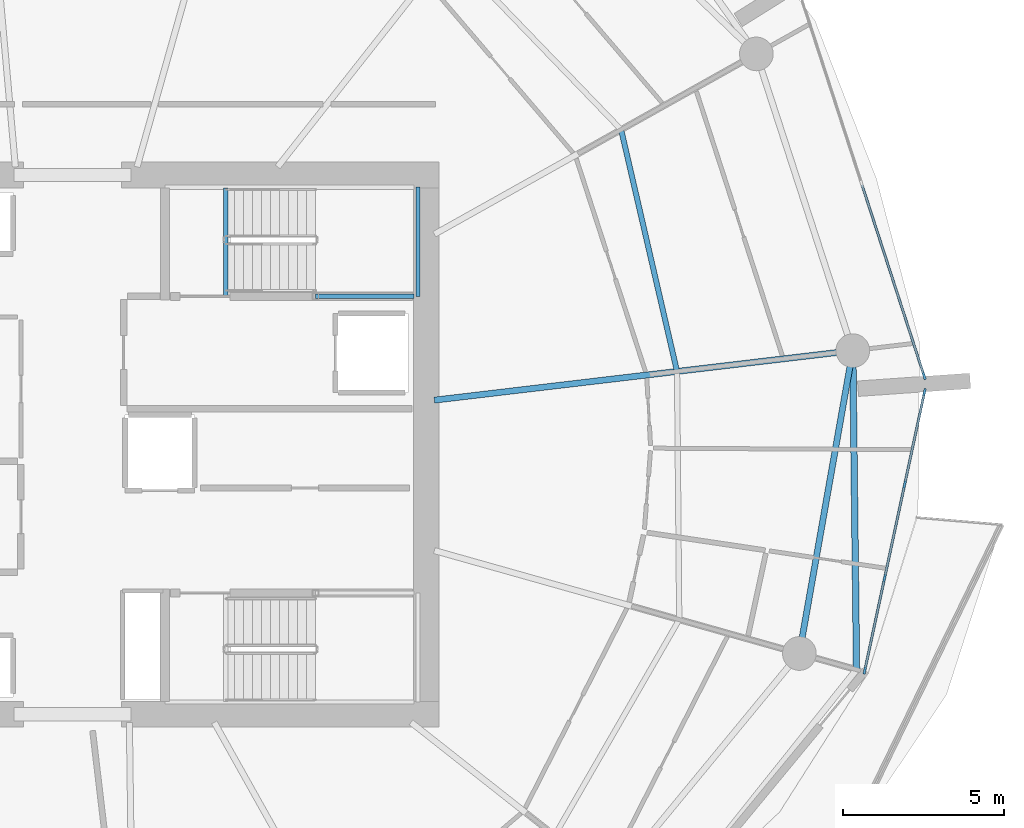
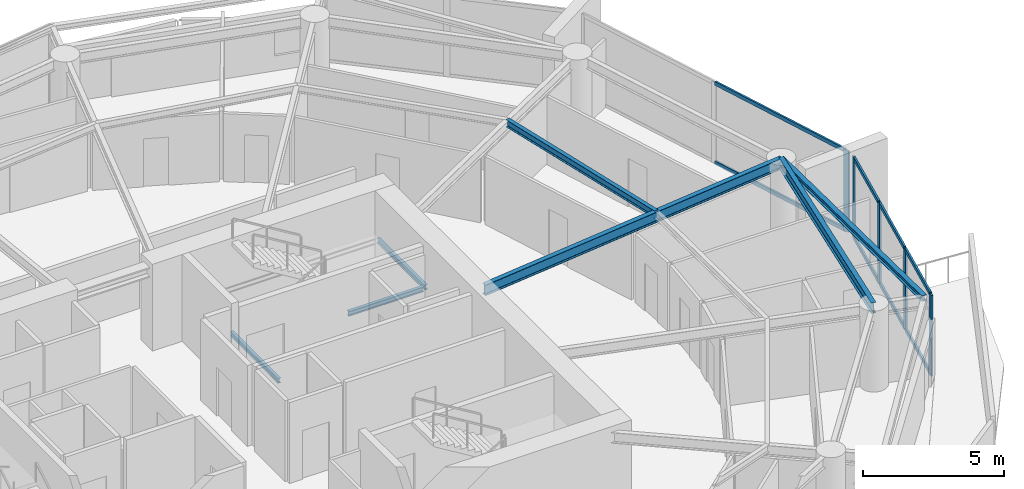
# One storey, part 7 of 20: 13 members, 7 beams, 2 elements without a shape of their own.
"""IFC4 building model written with IfcOpenShell, lengths in metres."""

from ifc_helpers import new_model, si_unit, direction, frame, origin, origin_2d, place, context, subcontext, project, spatial, rectangle, i_section, extrude, material, layer, layer_set, material_profile, profile_set, type_object, element, aggregate, save


model = new_model("IFC4")

# Units and contexts
model_context = context("Model", 3, precision=1e-05, world=origin(), true_north=direction((0.0, 1.0)))
body_context = subcontext(model_context, "Body", "Model", "MODEL_VIEW")
ifc_project = project(units=[si_unit("LENGTHUNIT", "METRE"), si_unit("AREAUNIT", "SQUARE_METRE"), si_unit("VOLUMEUNIT", "CUBIC_METRE"), si_unit("PLANEANGLEUNIT", "RADIAN"), si_unit("MASSUNIT", "GRAM", prefix="KILO")], contexts=[model_context])

# Site, building, storey
site_placement = place(None, origin())
site = spatial("IfcSite", under=ifc_project, at=site_placement, CompositionType="ELEMENT")
building_placement = place(site_placement, origin())
building = spatial("IfcBuilding", under=site, at=building_placement, Name="Kazma Halo Residences", CompositionType="ELEMENT")
storey_placement = place(building_placement, frame((0.0, 0.0, 150.300048828125)))
storey = spatial("IfcBuildingStorey", under=building, at=storey_placement, Name="L37", CompositionType="ELEMENT", Elevation=150.300048828125)

# Beams
ifc_material_1 = material(Name="Steel S355", Category="steel")
ifc_material_profile_1 = material_profile(ifc_material_1, i_section(OverallWidth=0.201904296875, OverallDepth=0.2470703125, WebThickness=0.00732421875, FlangeThickness=0.010986328125, FilletRadius=0.011962890625, at=origin_2d()), Name="W250x49.1")
ifc_profile_set_1 = profile_set([ifc_material_profile_1], Name="Steel S355")
beam_type_1 = type_object("IfcBeamType", Name="BM-BAL-CANT", PredefinedType="BEAM", material=ifc_profile_set_1)
beam_1_placement = place(storey_placement, frame((72.850341796875, 34.991455078125, 3.37646484375), z_axis=(-0.011793371143, 0.99993045578, 0.0), x_axis=(-0.99993045578, -0.011793371143, 0.0)))
element("IfcBeam", 1, at=beam_1_placement, inside=storey, type_object=beam_type_1, Name="L37 wave-balcony tie beam 15", PredefinedType="BEAM", context=body_context, shape_type="SweptSolid", body=[
    extrude(i_section(OverallWidth=0.201904296875, OverallDepth=0.2470703125, WebThickness=0.00732421875, FlangeThickness=0.010986328125, FilletRadius=0.011962890625, at=origin_2d()), origin(), (0.0, 0.0, 1.0), 9.936767578125),
])
ifc_material_profile_2 = material_profile(ifc_material_1, i_section(OverallWidth=0.18994140625, OverallDepth=0.45703125, WebThickness=0.009033203125, FlangeThickness=0.014404296875, FilletRadius=0.01611328125, at=origin_2d()), Name="W460x74")
ifc_profile_set_2 = profile_set([ifc_material_profile_2], Name="Steel S355")
beam_type_2 = type_object("IfcBeamType", Name="BM-RAD-W460", PredefinedType="BEAM", material=ifc_profile_set_2)
beam_2_placement = place(storey_placement, frame((59.699951171875, 43.384765625, 3.271484375), z_axis=(0.993067181848, 0.117548170278, 0.0), x_axis=(-0.117548170278, 0.993067181848, 0.0)))
element("IfcBeam", 2, at=beam_2_placement, inside=storey, type_object=beam_type_2, Name="L37 radial floor beam 16", PredefinedType="BEAM", context=body_context, shape_type="SweptSolid", body=[
    extrude(i_section(OverallWidth=0.18994140625, OverallDepth=0.45703125, WebThickness=0.009033203125, FlangeThickness=0.014404296875, FilletRadius=0.01611328125, at=origin_2d()), origin(), (0.0, 0.0, 1.0), 13.124267578125),
])
ifc_material_profile_3 = material_profile(ifc_material_1, i_section(OverallWidth=0.1650390625, OverallDepth=0.31005859375, WebThickness=0.005859375, FlangeThickness=0.009765625, FilletRadius=0.011962890625, at=origin_2d()), Name="W310x38.7")
ifc_profile_set_3 = profile_set([ifc_material_profile_3], Name="Steel S355")
beam_type_3 = type_object("IfcBeamType", Name="BM-SEC-W310B", PredefinedType="JOIST", material=ifc_profile_set_3)
beam_3_placement = place(storey_placement, frame((67.25927734375, 44.279541015625, 3.344970703125), z_axis=(-0.225330067077, 0.97428248515, 0.0), x_axis=(-0.97428248515, -0.225330067077, 0.0)))
element("IfcBeam", 3, at=beam_3_placement, inside=storey, type_object=beam_type_3, Name="L37 circumferential floor joist 16", PredefinedType="JOIST", context=body_context, shape_type="SweptSolid", body=[
    extrude(i_section(OverallWidth=0.1650390625, OverallDepth=0.31005859375, WebThickness=0.005859375, FlangeThickness=0.009765625, FilletRadius=0.011962890625, at=origin_2d()), origin(), (0.0, 0.0, 1.0), 7.7294921875),
])
ifc_material_profile_4 = material_profile(ifc_material_1, i_section(OverallWidth=0.18994140625, OverallDepth=0.45703125, WebThickness=0.009033203125, FlangeThickness=0.014404296875, FilletRadius=0.01611328125, at=origin_2d()), Name="W460x74")
ifc_profile_set_4 = profile_set([ifc_material_profile_4], Name="Steel S355")
beam_type_4 = type_object("IfcBeamType", Name="BM-SPN-W460", PredefinedType="BEAM", material=ifc_profile_set_4)
beam_4_placement = place(storey_placement, frame((71.06982421875, 35.49365234375, 3.271484375), z_axis=(0.173637033425, 0.984809717978, 0.0), x_axis=(-0.984809717978, 0.173637033425, 0.0)))
element("IfcBeam", 4, at=beam_4_placement, inside=storey, type_object=beam_type_4, Name="L37 perimeter ring beam 15", PredefinedType="BEAM", context=body_context, shape_type="SweptSolid", body=[
    extrude(i_section(OverallWidth=0.18994140625, OverallDepth=0.45703125, WebThickness=0.009033203125, FlangeThickness=0.014404296875, FilletRadius=0.01611328125, at=origin_2d()), origin(), (0.0, 0.0, 1.0), 9.579345703125),
])
ifc_material_profile_5 = material_profile(ifc_material_1, i_section(OverallWidth=0.133056640625, OverallDepth=0.20703125, WebThickness=0.005859375, FlangeThickness=0.00830078125, FilletRadius=0.010009765625, at=origin_2d()), Name="W200x26.6")
ifc_profile_set_5 = profile_set([ifc_material_profile_5], Name="Steel S355")
beam_type_5 = type_object("IfcBeamType", Name="BM-TRIM-W200", PredefinedType="BEAM", material=ifc_profile_set_5)
beam_5_placement = place(storey_placement, frame((53.199951171875, 46.6201171875, -0.360107421875), z_axis=(0.0, 1.0, 0.0), x_axis=(-1.0, 0.0, 0.0)))
element("IfcBeam", 5, at=beam_5_placement, inside=storey, type_object=beam_type_5, Name="L37 ST-02 floor landing support beam", PredefinedType="BEAM", context=body_context, shape_type="SweptSolid", body=[
    extrude(i_section(OverallWidth=0.133056640625, OverallDepth=0.20703125, WebThickness=0.005859375, FlangeThickness=0.00830078125, FilletRadius=0.010009765625, at=origin_2d()), origin(), (0.0, 0.0, 1.0), 3.3798828125),
])
beam_6_placement = place(storey_placement, frame((56.0, 46.6201171875, 1.570068359375), z_axis=(1.0, 0.0, 0.0), x_axis=(0.0, 1.0, 0.0)))
element("IfcBeam", 6, at=beam_6_placement, inside=storey, type_object=beam_type_5, Name="L37 ST-02 landing south wall ledger", PredefinedType="BEAM", context=body_context, shape_type="SweptSolid", body=[
    extrude(i_section(OverallWidth=0.133056640625, OverallDepth=0.20703125, WebThickness=0.005859375, FlangeThickness=0.00830078125, FilletRadius=0.010009765625, at=origin_2d()), origin(), (0.0, 0.0, 1.0), 3.070068359375),
])
beam_7_placement = place(storey_placement, frame((59.18994140625, 46.6201171875, 1.570068359375), z_axis=(0.0, 1.0, 0.0), x_axis=(-1.0, 0.0, 0.0)))
element("IfcBeam", 7, at=beam_7_placement, inside=storey, type_object=beam_type_5, Name="L37 ST-02 landing end wall ledger", PredefinedType="BEAM", context=body_context, shape_type="SweptSolid", body=[
    extrude(i_section(OverallWidth=0.133056640625, OverallDepth=0.20703125, WebThickness=0.005859375, FlangeThickness=0.00830078125, FilletRadius=0.010009765625, at=origin_2d()), origin(), (0.0, 0.0, 1.0), 3.39990234375),
])

# Curtain wall, members
ifc_material_2 = material(Name="Aluminium AW-6063 T6 and Triple-Silver Low-E Glass", Category="aluminium")
ifc_layer = layer(ifc_material_2, 0.219970703125)
ifc_layer_set = layer_set([ifc_layer], Name="Aluminium AW-6063 T6 and Triple-Silver Low-E Glass")
curtain_wall_type = type_object("IfcCurtainWallType", Name="CW-SYS-4", PredefinedType="NOTDEFINED", material=ifc_layer_set)
curtain_wall_1_placement = place(storey_placement, origin())
curtain_wall_1 = element("IfcCurtainWall", 8, at=curtain_wall_1_placement, inside=storey, type_object=curtain_wall_type, Name="L37 unitised curtain wall B15", PredefinedType="NOTDEFINED")
ifc_material_3 = material(Name="Aluminium AW-6063 T6", Category="aluminium")
ifc_material_profile_6 = material_profile(ifc_material_3, rectangle(XDim=0.074951171875, YDim=0.219970703125, at=origin_2d()), Name="CWM-75x220")
ifc_profile_set_6 = profile_set([ifc_material_profile_6], Name="Aluminium AW-6063 T6")
member_type_1 = type_object("IfcMemberType", Name="CW-SYS-4-MUL", PredefinedType="MULLION", material=ifc_profile_set_6)
member_1_placement = place(storey_placement, frame((73.105224609375, 34.95849609375, 0.0), z_axis=(0.0, 0.0, 1.0), x_axis=(-0.977764957684, 0.209703809037, 0.0)))
member_1 = element("IfcMember", 9, at=member_1_placement, type_object=member_type_1, Name="CWS-4 mullion 1", PredefinedType="MULLION", context=body_context, shape_type="SweptSolid", body=[
    extrude(rectangle(XDim=0.074951171875, YDim=0.219970703125, at=origin_2d()), origin(), (0.0, 0.0, 1.0), 3.5),
])
member_2_placement = place(storey_placement, frame((73.72314453125, 37.839111328125, 0.0), z_axis=(0.0, 0.0, 1.0), x_axis=(-0.977764957684, 0.209703809037, 0.0)))
member_2 = element("IfcMember", 10, at=member_2_placement, type_object=member_type_1, Name="CWS-4 mullion 2", PredefinedType="MULLION", context=body_context, shape_type="SweptSolid", body=[
    extrude(rectangle(XDim=0.074951171875, YDim=0.219970703125, at=origin_2d()), origin(), (0.0, 0.0, 1.0), 3.5),
])
member_3_placement = place(storey_placement, frame((74.3486328125, 40.75634765625, 0.0), z_axis=(0.0, 0.0, 1.0), x_axis=(-0.977764957684, 0.209703809037, 0.0)))
member_3 = element("IfcMember", 11, at=member_3_placement, type_object=member_type_1, Name="CWS-4 mullion 3", PredefinedType="MULLION", context=body_context, shape_type="SweptSolid", body=[
    extrude(rectangle(XDim=0.074951171875, YDim=0.219970703125, at=origin_2d()), origin(), (0.0, 0.0, 1.0), 3.5),
])
member_4_placement = place(storey_placement, frame((74.966552734375, 43.63671875, 0.0), z_axis=(0.0, 0.0, 1.0), x_axis=(-0.977764957684, 0.209703809037, 0.0)))
member_4 = element("IfcMember", 12, at=member_4_placement, type_object=member_type_1, Name="CWS-4 mullion 4", PredefinedType="MULLION", context=body_context, shape_type="SweptSolid", body=[
    extrude(rectangle(XDim=0.074951171875, YDim=0.219970703125, at=origin_2d()), origin(), (0.0, 0.0, 1.0), 3.5),
])

# Curtain wall, member
curtain_wall_2_placement = place(storey_placement, origin())
curtain_wall_2 = element("IfcCurtainWall", 13, at=curtain_wall_2_placement, inside=storey, type_object=curtain_wall_type, Name="L37 unitised curtain wall B16", PredefinedType="NOTDEFINED")
member_5_placement = place(storey_placement, frame((74.955810546875, 44.13427734375, 0.0), z_axis=(0.0, 0.0, 1.0), x_axis=(-0.951057547609, -0.3090138203, 0.0)))
member_5 = element("IfcMember", 14, at=member_5_placement, type_object=member_type_1, Name="CWS-4 mullion 1", PredefinedType="MULLION", context=body_context, shape_type="SweptSolid", body=[
    extrude(rectangle(XDim=0.074951171875, YDim=0.219970703125, at=origin_2d()), origin(), (0.0, 0.0, 1.0), 3.5),
])

# Member
ifc_material_profile_7 = material_profile(ifc_material_3, rectangle(XDim=0.074951171875, YDim=0.1650390625, at=origin_2d()), Name="CWT-75x165")
ifc_profile_set_7 = profile_set([ifc_material_profile_7], Name="Aluminium AW-6063 T6")
member_type_2 = type_object("IfcMemberType", Name="CW-SYS-4-TRN", PredefinedType="USERDEFINED", material=ifc_profile_set_7)
member_6_placement = place(storey_placement, frame((73.113037109375, 34.9951171875, 0.037353515625), z_axis=(0.209703309269, 0.977765064871, 0.0), x_axis=(-0.977765064871, 0.209703309269, 0.0)))
member_6 = element("IfcMember", 15, at=member_6_placement, type_object=member_type_2, Name="CWS-4 transom 1.1", ObjectType="TRANSOM", PredefinedType="USERDEFINED", context=body_context, shape_type="SweptSolid", body=[
    extrude(rectangle(XDim=0.074951171875, YDim=0.1650390625, at=origin_2d()), origin(), (0.0, 0.0, 1.0), 2.870849609375),
])

member_7_placement = place(storey_placement, frame((73.113037109375, 34.9951171875, 3.46240234375), z_axis=(0.209703309269, 0.977765064871, 0.0), x_axis=(-0.977765064871, 0.209703309269, 0.0)))
member_7 = element("IfcMember", 16, at=member_7_placement, type_object=member_type_2, Name="CWS-4 transom 1.2", ObjectType="TRANSOM", PredefinedType="USERDEFINED", context=body_context, shape_type="SweptSolid", body=[
    extrude(rectangle(XDim=0.074951171875, YDim=0.1650390625, at=origin_2d()), origin(), (0.0, 0.0, 1.0), 2.870849609375),
])

member_8_placement = place(storey_placement, frame((73.73095703125, 37.875732421875, 0.037353515625), z_axis=(0.209689601293, 0.977768004748, 0.0), x_axis=(-0.977768004748, 0.209689601293, 0.0)))
member_8 = element("IfcMember", 17, at=member_8_placement, type_object=member_type_2, Name="CWS-4 transom 2.1", ObjectType="TRANSOM", PredefinedType="USERDEFINED", context=body_context, shape_type="SweptSolid", body=[
    extrude(rectangle(XDim=0.074951171875, YDim=0.1650390625, at=origin_2d()), origin(), (0.0, 0.0, 1.0), 2.908447265625),
])

member_9_placement = place(storey_placement, frame((73.73095703125, 37.875732421875, 3.46240234375), z_axis=(0.209689601293, 0.977768004748, 0.0), x_axis=(-0.977768004748, 0.209689601293, 0.0)))
member_9 = element("IfcMember", 18, at=member_9_placement, type_object=member_type_2, Name="CWS-4 transom 2.2", ObjectType="TRANSOM", PredefinedType="USERDEFINED", context=body_context, shape_type="SweptSolid", body=[
    extrude(rectangle(XDim=0.074951171875, YDim=0.1650390625, at=origin_2d()), origin(), (0.0, 0.0, 1.0), 2.908447265625),
])

member_10_placement = place(storey_placement, frame((74.356689453125, 40.79296875, 0.037353515625), z_axis=(0.209703309269, 0.977765064871, 0.0), x_axis=(-0.977765064871, 0.209703309269, 0.0)))
member_10 = element("IfcMember", 19, at=member_10_placement, type_object=member_type_2, Name="CWS-4 transom 3.1", ObjectType="TRANSOM", PredefinedType="USERDEFINED", context=body_context, shape_type="SweptSolid", body=[
    extrude(rectangle(XDim=0.074951171875, YDim=0.1650390625, at=origin_2d()), origin(), (0.0, 0.0, 1.0), 2.870849609375),
])

member_11_placement = place(storey_placement, frame((74.356689453125, 40.79296875, 3.46240234375), z_axis=(0.209703309269, 0.977765064871, 0.0), x_axis=(-0.977765064871, 0.209703309269, 0.0)))
member_11 = element("IfcMember", 20, at=member_11_placement, type_object=member_type_2, Name="CWS-4 transom 3.2", ObjectType="TRANSOM", PredefinedType="USERDEFINED", context=body_context, shape_type="SweptSolid", body=[
    extrude(rectangle(XDim=0.074951171875, YDim=0.1650390625, at=origin_2d()), origin(), (0.0, 0.0, 1.0), 2.870849609375),
])

aggregate(curtain_wall_1, [member_1, member_2, member_3, member_4, member_6, member_7, member_8, member_9, member_10, member_11])

member_12_placement = place(storey_placement, frame((74.9443359375, 44.169921875, 0.037353515625), z_axis=(-0.309006258762, 0.95106000444, 0.0), x_axis=(-0.95106000444, -0.309006258762, 0.0)))
member_12 = element("IfcMember", 21, at=member_12_placement, type_object=member_type_2, Name="CWS-4 transom 1.1", ObjectType="TRANSOM", PredefinedType="USERDEFINED", context=body_context, shape_type="SweptSolid", body=[
    extrude(rectangle(XDim=0.074951171875, YDim=0.1650390625, at=origin_2d()), origin(), (0.0, 0.0, 1.0), 6.22509765625),
])

member_13_placement = place(storey_placement, frame((74.9443359375, 44.169921875, 3.46240234375), z_axis=(-0.309006258762, 0.95106000444, 0.0), x_axis=(-0.95106000444, -0.309006258762, 0.0)))
member_13 = element("IfcMember", 22, at=member_13_placement, type_object=member_type_2, Name="CWS-4 transom 1.2", ObjectType="TRANSOM", PredefinedType="USERDEFINED", context=body_context, shape_type="SweptSolid", body=[
    extrude(rectangle(XDim=0.074951171875, YDim=0.1650390625, at=origin_2d()), origin(), (0.0, 0.0, 1.0), 6.22509765625),
])

aggregate(curtain_wall_2, [member_5, member_12, member_13])

save(model, "model.ifc")
